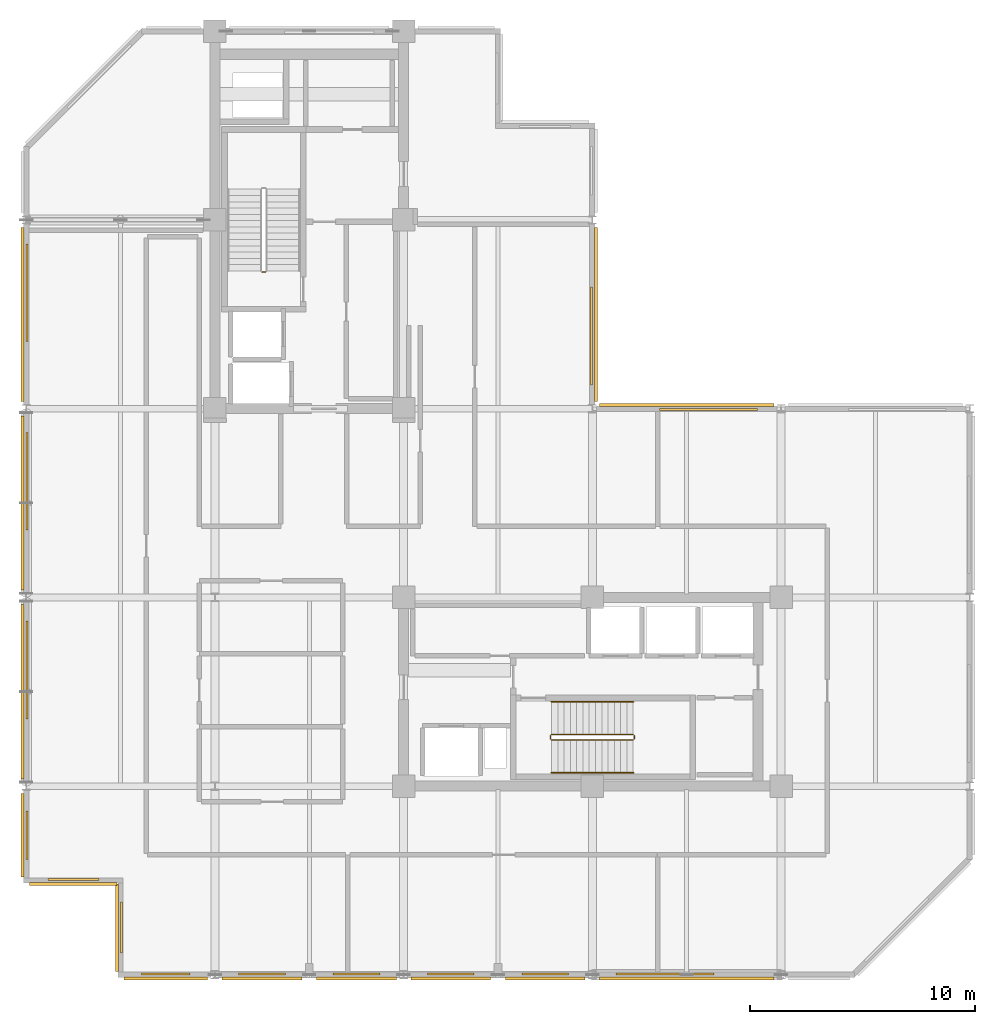
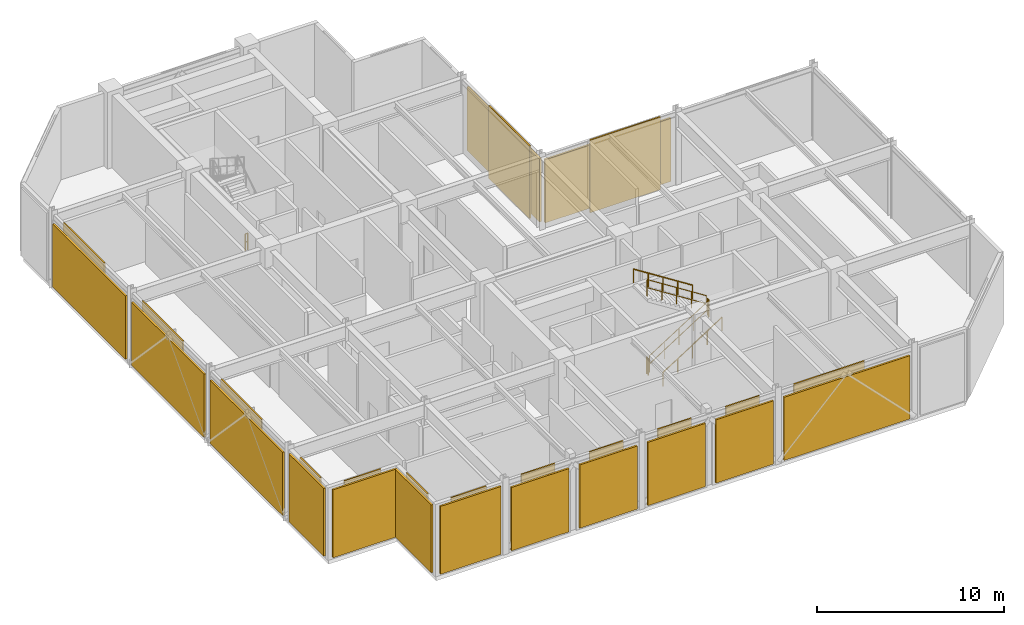
# One storey, part 8 of 10: 14 coverings, 14 shading devices, 7 railings.
"""IFC4 building model written with IfcOpenShell, lengths in metres."""

from ifc_helpers import new_model, si_unit, direction, frame, origin, origin_2d, place, context, subcontext, project, spatial, rectangle, circle, extrude, material, layer, layer_set, type_object, element, save


model = new_model("IFC4")

# Units and contexts
model_context = context("Model", 3, precision=1e-05, world=origin(), true_north=direction((0.0, 1.0)))
body_context = subcontext(model_context, "Body", "Model", "MODEL_VIEW")
ifc_project = project(units=[si_unit("LENGTHUNIT", "METRE"), si_unit("AREAUNIT", "SQUARE_METRE"), si_unit("VOLUMEUNIT", "CUBIC_METRE"), si_unit("PLANEANGLEUNIT", "RADIAN"), si_unit("MASSUNIT", "GRAM", prefix="KILO")], contexts=[model_context])

# Site, building, storey
site_placement = place(None, origin())
site = spatial("IfcSite", under=ifc_project, at=site_placement, CompositionType="ELEMENT")
building_placement = place(site_placement, origin())
building = spatial("IfcBuilding", under=site, at=building_placement, Name="Nerrivon Quay Data Exchange", CompositionType="ELEMENT")
storey_placement = place(building_placement, frame((0.0, 0.0, 245.199951171875)))
storey = spatial("IfcBuildingStorey", under=building, at=storey_placement, Name="L58", CompositionType="ELEMENT", Elevation=245.199951171875)

# Coverings
ifc_material_1 = material(Name="Architectural terracotta ceramic", Category="masonry")
ifc_layer_1 = layer(ifc_material_1, 0.090087890625)
ifc_layer_set_1 = layer_set([ifc_layer_1], Name="Architectural terracotta ceramic")
covering_type = type_object("IfcCoveringType", Name="COV-SCR-TERR", PredefinedType="CLADDING", material=ifc_layer_set_1)
covering_1_placement = place(storey_placement, frame((28.43408203125, 0.044921875, 0.0), z_axis=(0.0, 0.0, 1.0), x_axis=(-1.0, 0.0, 0.0)))
element("IfcCovering", 1, at=covering_1_placement, inside=storey, type_object=covering_type, Name="L58 Perforated Terracotta SOLAR SCREEN Cassette", PredefinedType="CLADDING", context=body_context, shape_type="SweptSolid", body=[
    extrude(rectangle(XDim=4.346923828125, YDim=0.090087890625, at=origin_2d()), origin(), (0.0, 0.0, 1.0), 4.72509765625),
])
for number, where, z_axis, x_axis, name in (
    (2, (23.10009765625, 0.044921875, 0.0), (0.0, 0.0, 1.0), (-1.0, 0.0, 0.0), "L58 Perforated Terracotta SOLAR SCREEN Cassette"),
    (3, (18.89990234375, 0.044921875, 0.0), (0.0, 0.0, 1.0), (-1.0, 0.0, 0.0), "L58 Perforated Terracotta SOLAR SCREEN Cassette"),
    (4, (14.699951171875, 0.044921875, 0.0), (0.0, 0.0, 1.0), (-1.0, 0.0, 0.0), "L58 Perforated Terracotta SOLAR SCREEN Cassette"),
    (5, (10.5, 0.044921875, 0.0), (0.0, 0.0, 1.0), (-1.0, 0.0, 0.0), "L58 Perforated Terracotta SOLAR SCREEN Cassette"),
):
    element("IfcCovering", number, at=place(storey_placement, frame(where, z_axis=z_axis, x_axis=x_axis)), inside=storey, type_object=covering_type, Name=name, PredefinedType="CLADDING", context=body_context, shape_type="SweptSolid", body=[
        extrude(rectangle(XDim=2.0791015625, YDim=0.090087890625, at=origin_2d()), origin(), (0.0, 0.0, 1.0), 4.72509765625),
    ])
covering_2_placement = place(storey_placement, frame((6.21240234375, 0.044921875, 0.0), z_axis=(0.0, 0.0, 1.0), x_axis=(-1.0, 0.0, 0.0)))
element("IfcCovering", 6, at=covering_2_placement, inside=storey, type_object=covering_type, Name="L58 Perforated Terracotta SOLAR SCREEN Cassette", PredefinedType="CLADDING", context=body_context, shape_type="SweptSolid", body=[
    extrude(rectangle(XDim=2.173095703125, YDim=0.090087890625, at=origin_2d()), origin(), (0.0, 0.0, 1.0), 4.72509765625),
])
for number, where, z_axis, x_axis, name in (
    (7, (4.2451171875, 2.10009765625, 0.0), (0.0, 0.0, 1.0), (0.0, 1.0, 0.0), "L58 Perforated Terracotta SOLAR SCREEN Cassette"),
    (8, (2.10009765625, 4.2451171875, 0.0), (0.0, 0.0, 1.0), (-1.0, 0.0, 0.0), "L58 Perforated Terracotta SOLAR SCREEN Cassette"),
):
    element("IfcCovering", number, at=place(storey_placement, frame(where, z_axis=z_axis, x_axis=x_axis)), inside=storey, type_object=covering_type, Name=name, PredefinedType="CLADDING", context=body_context, shape_type="SweptSolid", body=[
        extrude(rectangle(XDim=2.26806640625, YDim=0.090087890625, at=origin_2d()), origin(), (0.0, 0.0, 1.0), 4.72509765625),
    ])
covering_3_placement = place(storey_placement, frame((0.044921875, 6.21240234375, 0.0), z_axis=(0.0, 0.0, 1.0), x_axis=(0.0, 1.0, 0.0)))
element("IfcCovering", 9, at=covering_3_placement, inside=storey, type_object=covering_type, Name="L58 Perforated Terracotta SOLAR SCREEN Cassette", PredefinedType="CLADDING", context=body_context, shape_type="SweptSolid", body=[
    extrude(rectangle(XDim=2.173095703125, YDim=0.090087890625, at=origin_2d()), origin(), (0.0, 0.0, 1.0), 4.72509765625),
])
for number, where, z_axis, x_axis, name in (
    (10, (0.044921875, 13.56591796875, 0.0), (0.0, 0.0, 1.0), (0.0, 1.0, 0.0), "L58 Perforated Terracotta SOLAR SCREEN Cassette"),
    (11, (0.044921875, 21.966064453125, 0.0), (0.0, 0.0, 1.0), (0.0, 1.0, 0.0), "L58 Perforated Terracotta SOLAR SCREEN Cassette"),
    (12, (0.044921875, 30.365966796875, 0.0), (0.0, 0.0, 1.0), (0.0, 1.0, 0.0), "L58 Perforated Terracotta SOLAR SCREEN Cassette"),
    (13, (25.155029296875, 28.43408203125, 0.0), (0.0, 0.0, 1.0), (0.0, -1.0, 0.0), "L58 Perforated Terracotta SOLAR SCREEN Cassette"),
    (14, (30.365966796875, 25.155029296875, 0.0), (0.0, 0.0, 1.0), (1.0, 0.0, 0.0), "L58 Perforated Terracotta SOLAR SCREEN Cassette"),
):
    element("IfcCovering", number, at=place(storey_placement, frame(where, z_axis=z_axis, x_axis=x_axis)), inside=storey, type_object=covering_type, Name=name, PredefinedType="CLADDING", context=body_context, shape_type="SweptSolid", body=[
        extrude(rectangle(XDim=4.346923828125, YDim=0.090087890625, at=origin_2d()), origin(), (0.0, 0.0, 1.0), 4.72509765625),
    ])

# Railings
ifc_material_2 = material(Name="Steel Grade C350L0 (350 MPa)", Category="steel")
railing_type_1 = type_object("IfcRailingType", Name="RAIL-HAND-HR1", PredefinedType="HANDRAIL", material=ifc_material_2)
railing_1_placement = place(storey_placement, frame((23.3798828125, 9.0, 0.1787109375)))
element("IfcRailing", 15, at=railing_1_placement, inside=storey, type_object=railing_type_1, Name="L58 ST02 stair handrail 1", PredefinedType="HANDRAIL", context=body_context, shape_type="SweptSolid", body=[
    extrude(circle(Radius=0.02392578125, at=origin_2d()), frame((0.0, 0.0, 0.8759765625), z_axis=(0.843153495434, 0.0, 0.537672933239), x_axis=(0.0, 1.0, 0.0)), (0.0, 0.0, 1.0), 4.3173828125),
    extrude(circle(Radius=0.02099609375, at=origin_2d()), origin(), (0.0, 0.0, 1.0), 0.851806640625),
    extrude(circle(Radius=0.02099609375, at=origin_2d()), frame((0.91015625, 0.0, 0.580322265625)), (0.0, 0.0, 1.0), 0.851806640625),
    extrude(circle(Radius=0.02099609375, at=origin_2d()), frame((1.820068359375, 0.0, 1.16064453125)), (0.0, 0.0, 1.0), 0.851806640625),
    extrude(circle(Radius=0.02099609375, at=origin_2d()), frame((2.72998046875, 0.0, 1.740966796875)), (0.0, 0.0, 1.0), 0.851806640625),
    extrude(circle(Radius=0.02099609375, at=origin_2d()), frame((3.64013671875, 0.0, 2.3212890625)), (0.0, 0.0, 1.0), 0.851806640625),
])
railing_2_placement = place(storey_placement, frame((27.02001953125, 12.14990234375, 2.6787109375)))
element("IfcRailing", 16, at=railing_2_placement, inside=storey, type_object=railing_type_1, Name="L58 ST02 stair handrail 2", PredefinedType="HANDRAIL", context=body_context, shape_type="SweptSolid", body=[
    extrude(circle(Radius=0.02392578125, at=origin_2d()), frame((0.0, 0.0, 0.8759765625), z_axis=(-0.843153495434, 0.0, 0.537672933239), x_axis=(0.0, -1.0, 0.0)), (0.0, 0.0, 1.0), 4.3173828125),
    extrude(circle(Radius=0.02099609375, at=origin_2d()), origin(), (0.0, 0.0, 1.0), 0.851806640625),
    extrude(circle(Radius=0.02099609375, at=origin_2d()), frame((-0.91015625, 0.0, 0.580322265625)), (0.0, 0.0, 1.0), 0.851806640625),
    extrude(circle(Radius=0.02099609375, at=origin_2d()), frame((-1.820068359375, 0.0, 1.16064453125)), (0.0, 0.0, 1.0), 0.851806640625),
    extrude(circle(Radius=0.02099609375, at=origin_2d()), frame((-2.72998046875, 0.0, 1.740966796875)), (0.0, 0.0, 1.0), 0.851806640625),
    extrude(circle(Radius=0.02099609375, at=origin_2d()), frame((-3.64013671875, 0.0, 2.3212890625)), (0.0, 0.0, 1.0), 0.851806640625),
])
railing_type_2 = type_object("IfcRailingType", Name="RAIL-STAIR-GR1", PredefinedType="BALUSTRADE", material=ifc_material_2)
railing_3_placement = place(storey_placement, frame((10.64990234375, 31.280029296875, 0.0)))
element("IfcRailing", 17, at=railing_3_placement, inside=storey, type_object=railing_type_2, Name="L58 ST01 stair guard 4", PredefinedType="BALUSTRADE", context=body_context, shape_type="SweptSolid", body=[
    extrude(circle(Radius=0.02392578125, at=origin_2d()), frame((0.0, 0.0, 1.076171875), z_axis=(-1.0, 0.0, 0.0), x_axis=(0.0, -1.0, 0.0)), (0.0, 0.0, 1.0), 0.14990234375),
    extrude(circle(Radius=0.02392578125, at=origin_2d()), frame((0.0, 0.0, 0.550048828125), z_axis=(-1.0, 0.0, 0.0), x_axis=(0.0, -1.0, 0.0)), (0.0, 0.0, 1.0), 0.14990234375),
    extrude(circle(Radius=0.02099609375, at=origin_2d()), origin(), (0.0, 0.0, 1.0), 1.052001953125),
    extrude(circle(Radius=0.02099609375, at=origin_2d()), frame((-0.14990234375, 0.0, 0.0)), (0.0, 0.0, 1.0), 1.052001953125),
])
railing_4_placement = place(storey_placement, frame((23.3798828125, 10.449951171875, 0.1787109375)))
element("IfcRailing", 18, at=railing_4_placement, inside=storey, type_object=railing_type_2, Name="L58 ST02 stair guard 1", PredefinedType="BALUSTRADE", context=body_context, shape_type="SweptSolid", body=[
    extrude(circle(Radius=0.02392578125, at=origin_2d()), frame((0.0, 0.0, 1.076171875), z_axis=(0.843153495434, 0.0, 0.537672933239), x_axis=(0.0, 1.0, 0.0)), (0.0, 0.0, 1.0), 4.3173828125),
    extrude(circle(Radius=0.02392578125, at=origin_2d()), frame((0.0, 0.0, 0.550048828125), z_axis=(0.843153495434, 0.0, 0.537672933239), x_axis=(0.0, 1.0, 0.0)), (0.0, 0.0, 1.0), 4.3173828125),
    extrude(circle(Radius=0.02099609375, at=origin_2d()), origin(), (0.0, 0.0, 1.0), 1.052001953125),
    extrude(circle(Radius=0.02099609375, at=origin_2d()), frame((0.91015625, 0.0, 0.580322265625)), (0.0, 0.0, 1.0), 1.052001953125),
    extrude(circle(Radius=0.02099609375, at=origin_2d()), frame((1.820068359375, 0.0, 1.16064453125)), (0.0, 0.0, 1.0), 1.052001953125),
    extrude(circle(Radius=0.02099609375, at=origin_2d()), frame((2.72998046875, 0.0, 1.740966796875)), (0.0, 0.0, 1.0), 1.052001953125),
    extrude(circle(Radius=0.02099609375, at=origin_2d()), frame((3.64013671875, 0.0, 2.3212890625)), (0.0, 0.0, 1.0), 1.052001953125),
])
railing_5_placement = place(storey_placement, frame((27.070068359375, 10.5, 2.5)))
element("IfcRailing", 19, at=railing_5_placement, inside=storey, type_object=railing_type_2, Name="L58 ST02 stair guard 2", PredefinedType="BALUSTRADE", context=body_context, shape_type="SweptSolid", body=[
    extrude(circle(Radius=0.02392578125, at=origin_2d()), frame((0.0, 0.0, 1.076171875), z_axis=(0.0, 1.0, 0.0), x_axis=(-1.0, 0.0, 0.0)), (0.0, 0.0, 1.0), 0.14990234375),
    extrude(circle(Radius=0.02392578125, at=origin_2d()), frame((0.0, 0.0, 0.550048828125), z_axis=(0.0, 1.0, 0.0), x_axis=(-1.0, 0.0, 0.0)), (0.0, 0.0, 1.0), 0.14990234375),
    extrude(circle(Radius=0.02099609375, at=origin_2d()), origin(), (0.0, 0.0, 1.0), 1.052001953125),
    extrude(circle(Radius=0.02099609375, at=origin_2d()), frame((0.0, 0.14990234375, 0.0)), (0.0, 0.0, 1.0), 1.052001953125),
])
railing_6_placement = place(storey_placement, frame((27.02001953125, 10.699951171875, 2.6787109375)))
element("IfcRailing", 20, at=railing_6_placement, inside=storey, type_object=railing_type_2, Name="L58 ST02 stair guard 3", PredefinedType="BALUSTRADE", context=body_context, shape_type="SweptSolid", body=[
    extrude(circle(Radius=0.02392578125, at=origin_2d()), frame((0.0, 0.0, 1.076171875), z_axis=(-0.843153495434, 0.0, 0.537672933239), x_axis=(0.0, -1.0, 0.0)), (0.0, 0.0, 1.0), 4.3173828125),
    extrude(circle(Radius=0.02392578125, at=origin_2d()), frame((0.0, 0.0, 0.550048828125), z_axis=(-0.843153495434, 0.0, 0.537672933239), x_axis=(0.0, -1.0, 0.0)), (0.0, 0.0, 1.0), 4.3173828125),
    extrude(circle(Radius=0.02099609375, at=origin_2d()), origin(), (0.0, 0.0, 1.0), 1.052001953125),
    extrude(circle(Radius=0.02099609375, at=origin_2d()), frame((-0.91015625, 0.0, 0.580322265625)), (0.0, 0.0, 1.0), 1.052001953125),
    extrude(circle(Radius=0.02099609375, at=origin_2d()), frame((-1.820068359375, 0.0, 1.16064453125)), (0.0, 0.0, 1.0), 1.052001953125),
    extrude(circle(Radius=0.02099609375, at=origin_2d()), frame((-2.72998046875, 0.0, 1.740966796875)), (0.0, 0.0, 1.0), 1.052001953125),
    extrude(circle(Radius=0.02099609375, at=origin_2d()), frame((-3.64013671875, 0.0, 2.3212890625)), (0.0, 0.0, 1.0), 1.052001953125),
])
railing_7_placement = place(storey_placement, frame((23.330078125, 10.5, 0.0)))
element("IfcRailing", 21, at=railing_7_placement, inside=storey, type_object=railing_type_2, Name="L58 ST02 stair guard 4", PredefinedType="BALUSTRADE", context=body_context, shape_type="SweptSolid", body=[
    extrude(circle(Radius=0.02392578125, at=origin_2d()), frame((0.0, 0.0, 1.076171875), z_axis=(0.0, 1.0, 0.0), x_axis=(-1.0, 0.0, 0.0)), (0.0, 0.0, 1.0), 0.14990234375),
    extrude(circle(Radius=0.02392578125, at=origin_2d()), frame((0.0, 0.0, 0.550048828125), z_axis=(0.0, 1.0, 0.0), x_axis=(-1.0, 0.0, 0.0)), (0.0, 0.0, 1.0), 0.14990234375),
    extrude(circle(Radius=0.02099609375, at=origin_2d()), origin(), (0.0, 0.0, 1.0), 1.052001953125),
    extrude(circle(Radius=0.02099609375, at=origin_2d()), frame((0.0, 0.14990234375, 0.0)), (0.0, 0.0, 1.0), 1.052001953125),
])

# Shading devices
ifc_material_3 = material(Name="Anodised aluminium 6063-T6", Category="aluminium")
ifc_layer_2 = layer(ifc_material_3, 0.1201171875)
ifc_layer_set_2 = layer_set([ifc_layer_2], Name="Anodised aluminium 6063-T6")
shading_device_type = type_object("IfcShadingDeviceType", Name="SHD-LOUV-LV01", PredefinedType="JALOUSIE", material=ifc_layer_set_2)
shading_device_1_placement = place(storey_placement, frame((29.39990234375, -0.159912109375, 0.150146484375), z_axis=(0.0, 0.0, 1.0), x_axis=(-1.0, 0.0, 0.0)))
element("IfcShadingDevice", 22, at=shading_device_1_placement, inside=storey, type_object=shading_device_type, Name="L58 Acoustic Plant Louvre LV01-3", PredefinedType="JALOUSIE", context=body_context, shape_type="SweptSolid", body=[
    extrude(rectangle(XDim=7.75, YDim=0.1201171875, at=origin_2d()), origin(), (0.0, 0.0, 1.0), 4.125),
])
for number, where, z_axis, x_axis, name in (
    (23, (23.10009765625, -0.159912109375, 0.150146484375), (0.0, 0.0, 1.0), (-1.0, 0.0, 0.0), "L58 Acoustic Plant Louvre LV01-4"),
    (24, (18.89990234375, -0.159912109375, 0.150146484375), (0.0, 0.0, 1.0), (-1.0, 0.0, 0.0), "L58 Acoustic Plant Louvre LV01-5"),
    (25, (14.699951171875, -0.159912109375, 0.150146484375), (0.0, 0.0, 1.0), (-1.0, 0.0, 0.0), "L58 Acoustic Plant Louvre LV01-6"),
    (26, (10.5, -0.159912109375, 0.150146484375), (0.0, 0.0, 1.0), (-1.0, 0.0, 0.0), "L58 Acoustic Plant Louvre LV01-7"),
):
    element("IfcShadingDevice", number, at=place(storey_placement, frame(where, z_axis=z_axis, x_axis=x_axis)), inside=storey, type_object=shading_device_type, Name=name, PredefinedType="JALOUSIE", context=body_context, shape_type="SweptSolid", body=[
        extrude(rectangle(XDim=3.550048828125, YDim=0.1201171875, at=origin_2d()), origin(), (0.0, 0.0, 1.0), 4.125),
    ])
shading_device_2_placement = place(storey_placement, frame((6.21240234375, -0.159912109375, 0.14990234375), z_axis=(0.0, 0.0, 1.0), x_axis=(-1.0, 0.0, 0.0)))
element("IfcShadingDevice", 27, at=shading_device_2_placement, inside=storey, type_object=shading_device_type, Name="L58 Acoustic Plant Louvre LV01-8", PredefinedType="JALOUSIE", context=body_context, shape_type="SweptSolid", body=[
    extrude(rectangle(XDim=3.72509765625, YDim=0.1201171875, at=origin_2d()), origin(), (0.0, 0.0, 1.0), 4.425048828125),
])
for number, where, z_axis, x_axis, name in (
    (28, (4.0400390625, 2.10009765625, 0.14990234375), (0.0, 0.0, 1.0), (0.0, 1.0, 0.0), "L58 Acoustic Plant Louvre LV01-9"),
    (29, (2.10009765625, 4.0400390625, 0.14990234375), (0.0, 0.0, 1.0), (-1.0, 0.0, 0.0), "L58 Acoustic Plant Louvre LV01-10"),
):
    element("IfcShadingDevice", number, at=place(storey_placement, frame(where, z_axis=z_axis, x_axis=x_axis)), inside=storey, type_object=shading_device_type, Name=name, PredefinedType="JALOUSIE", context=body_context, shape_type="SweptSolid", body=[
        extrude(rectangle(XDim=3.89990234375, YDim=0.1201171875, at=origin_2d()), origin(), (0.0, 0.0, 1.0), 4.425048828125),
    ])
shading_device_3_placement = place(storey_placement, frame((-0.159912109375, 6.21240234375, 0.14990234375), z_axis=(0.0, 0.0, 1.0), x_axis=(0.0, 1.0, 0.0)))
element("IfcShadingDevice", 30, at=shading_device_3_placement, inside=storey, type_object=shading_device_type, Name="L58 Acoustic Plant Louvre LV01-11", PredefinedType="JALOUSIE", context=body_context, shape_type="SweptSolid", body=[
    extrude(rectangle(XDim=3.72509765625, YDim=0.1201171875, at=origin_2d()), origin(), (0.0, 0.0, 1.0), 4.425048828125),
])
for number, where, z_axis, x_axis, name in (
    (31, (-0.159912109375, 12.60009765625, 0.150146484375), (0.0, 0.0, 1.0), (0.0, 1.0, 0.0), "L58 Acoustic Plant Louvre LV01-12"),
    (32, (-0.159912109375, 21.0, 0.150146484375), (0.0, 0.0, 1.0), (0.0, 1.0, 0.0), "L58 Acoustic Plant Louvre LV01-13"),
    (33, (-0.159912109375, 29.39990234375, 0.150146484375), (0.0, 0.0, 1.0), (0.0, 1.0, 0.0), "L58 Acoustic Plant Louvre LV01-14"),
    (34, (25.360107421875, 29.39990234375, 0.150146484375), (0.0, 0.0, 1.0), (0.0, -1.0, 0.0), "L58 Acoustic Plant Louvre LV01-23"),
    (35, (29.39990234375, 25.360107421875, 0.150146484375), (0.0, 0.0, 1.0), (1.0, 0.0, 0.0), "L58 Acoustic Plant Louvre LV01-24"),
):
    element("IfcShadingDevice", number, at=place(storey_placement, frame(where, z_axis=z_axis, x_axis=x_axis)), inside=storey, type_object=shading_device_type, Name=name, PredefinedType="JALOUSIE", context=body_context, shape_type="SweptSolid", body=[
        extrude(rectangle(XDim=7.75, YDim=0.1201171875, at=origin_2d()), origin(), (0.0, 0.0, 1.0), 4.125),
    ])

save(model, "model.ifc")
